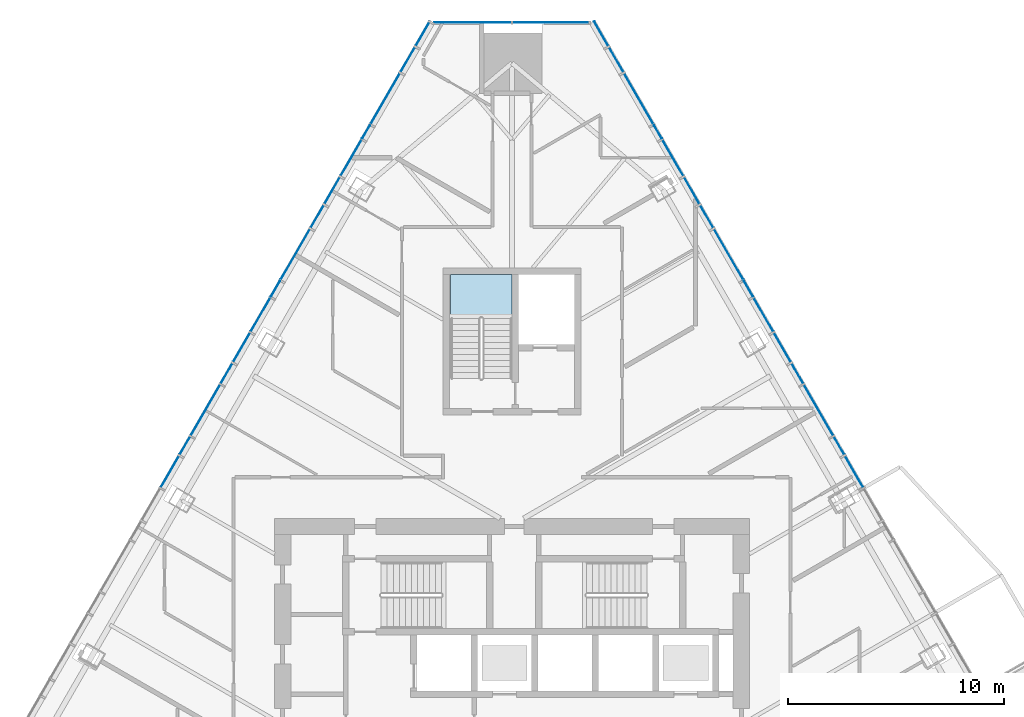
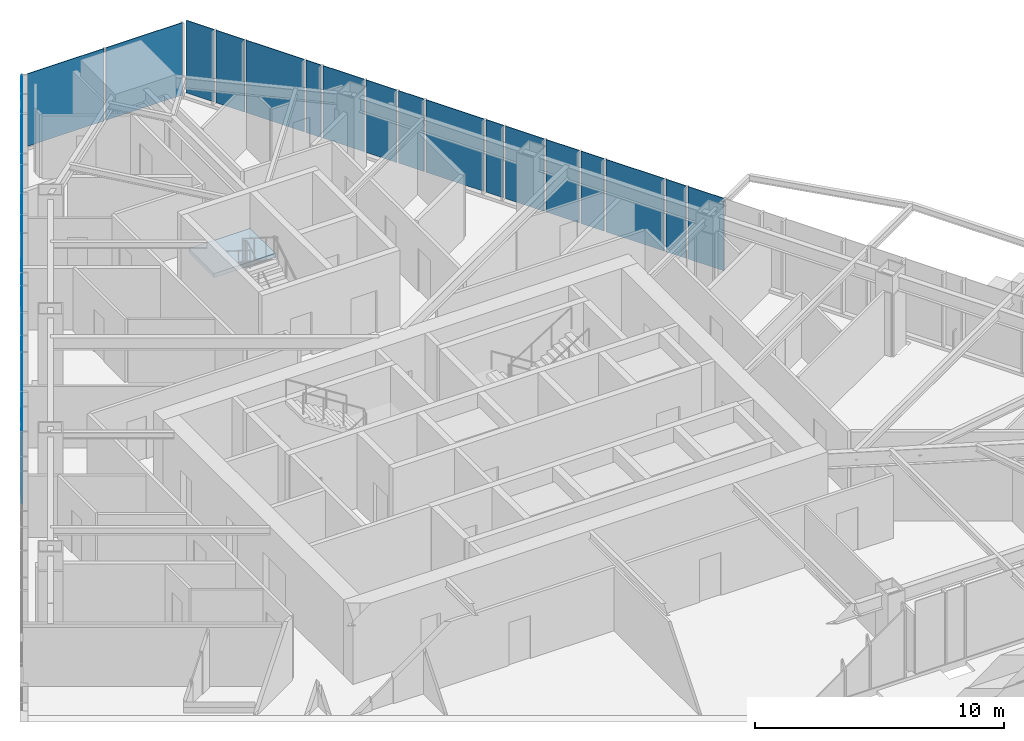
# One storey, part 13 of 21: 32 plates, 1 slab, 4 elements without a shape of their own.
"""IFC4 building model written with IfcOpenShell, lengths in metres."""

from ifc_helpers import new_model, si_unit, direction, frame, origin, place, context, subcontext, project, spatial, polyline, outline, extrude, material, layer, layer_set, type_object, element, aggregate, save


model = new_model("IFC4")

# Units and contexts
model_context = context("Model", 3, precision=1e-05, world=origin(), true_north=direction((0.0, 1.0)))
body_context = subcontext(model_context, "Body", "Model", "MODEL_VIEW")
ifc_project = project(units=[si_unit("LENGTHUNIT", "METRE"), si_unit("AREAUNIT", "SQUARE_METRE"), si_unit("VOLUMEUNIT", "CUBIC_METRE"), si_unit("PLANEANGLEUNIT", "RADIAN"), si_unit("MASSUNIT", "GRAM", prefix="KILO")], contexts=[model_context])

# Site, building, storey
site_placement = place(None, origin())
site = spatial("IfcSite", under=ifc_project, at=site_placement, CompositionType="ELEMENT")
building_placement = place(site_placement, origin())
building = spatial("IfcBuilding", under=site, at=building_placement, Name="Firuza Gate Tower and Library", CompositionType="ELEMENT")
storey_placement = place(building_placement, frame((0.0, 0.0, 222.10009765625)))
storey = spatial("IfcBuildingStorey", under=building, at=storey_placement, Name="L52", CompositionType="ELEMENT", Elevation=222.10009765625)

# Curtain wall, plates
ifc_material_1 = material(Name="Aluminium 6063-T6", Category="aluminium")
ifc_layer_1 = layer(ifc_material_1, 0.14990234375)
ifc_layer_set_1 = layer_set([ifc_layer_1], Name="Corner curtain wall, chamfers")
curtain_wall_type_1 = type_object("IfcCurtainWallType", Name="Corner curtain wall, chamfers", PredefinedType="NOTDEFINED", material=ifc_layer_set_1)
placement = place(storey_placement, origin())
curtain_wall_1 = element("IfcCurtainWall", 1, at=placement, inside=storey, type_object=curtain_wall_type_1, Name="CW4 L52 N corner", PredefinedType="NOTDEFINED")
ifc_material_2 = material(Name="Fritted glass", Category="glass")
ifc_layer_2 = layer(ifc_material_2, 0.030029296875)
ifc_layer_set_2 = layer_set([ifc_layer_2], Name="Fritted glass unit, corners")
plate_type_1 = type_object("IfcPlateType", Name="Fritted glass unit, corners", PredefinedType="CURTAIN_PANEL", material=ifc_layer_set_2)
plate_1_placement = place(storey_placement, frame((78.603271484375, 105.9814453125, 0.14990234375), z_axis=(0.0, 1.0, 0.0), x_axis=(-1.0, 0.0, 0.0)))
plate_1 = element("IfcPlate", 2, at=plate_1_placement, type_object=plate_type_1, Name="Glass unit", PredefinedType="CURTAIN_PANEL", context=body_context, shape_type="SweptSolid", body=[
    extrude(outline(polyline([(0.0, 0.0), (3.563232421875, 0.0), (3.563232421875, 3.550048828125), (0.0, 3.550048828125), (0.0, 0.0)])), origin(), (0.0, 0.0, -1.0), 0.030029296875),
])
plate_2_placement = place(storey_placement, frame((74.9599609375, 105.9814453125, 0.14990234375), z_axis=(0.0, 1.0, 0.0), x_axis=(-1.0, 0.0, 0.0)))
plate_2 = element("IfcPlate", 3, at=plate_2_placement, type_object=plate_type_1, Name="Glass unit", PredefinedType="CURTAIN_PANEL", context=body_context, shape_type="SweptSolid", body=[
    extrude(outline(polyline([(0.0, 0.0), (3.563232421875, 0.0), (3.563232421875, 3.550048828125), (0.0, 3.550048828125), (0.0, 0.0)])), origin(), (0.0, 0.0, -1.0), 0.030029296875),
])
aggregate(curtain_wall_1, [plate_1, plate_2])

ifc_material_3 = material(Name="Aluminium 6063-T6", Category="aluminium")
ifc_layer_3 = layer(ifc_material_3, 0.14990234375)
ifc_layer_set_3 = layer_set([ifc_layer_3], Name="Unitised curtain wall, hotel")
curtain_wall_type_2 = type_object("IfcCurtainWallType", Name="Unitised curtain wall, hotel", PredefinedType="NOTDEFINED", material=ifc_layer_set_3)
curtain_wall_2 = element("IfcCurtainWall", 4, at=placement, inside=storey, type_object=curtain_wall_type_2, Name="CW2 L52 E face", PredefinedType="NOTDEFINED")
ifc_material_4 = material(Name="Fritted glass", Category="glass")
ifc_layer_4 = layer(ifc_material_4, 0.030029296875)
ifc_layer_set_4 = layer_set([ifc_layer_4], Name="Fritted glass unit, hotel")
plate_type_2 = type_object("IfcPlateType", Name="Fritted glass unit, hotel", PredefinedType="CURTAIN_PANEL", material=ifc_layer_set_4)
plate_3_placement = place(storey_placement, frame((91.281494140625, 84.4462890625, 0.14990234375), z_axis=(0.866078617559, 0.49990781971, 0.0), x_axis=(-0.49990781971, 0.866078617559, 0.0)))
plate_3 = element("IfcPlate", 5, at=plate_3_placement, type_object=plate_type_2, Name="Glass unit", PredefinedType="CURTAIN_PANEL", context=body_context, shape_type="SweptSolid", body=[
    extrude(outline(polyline([(0.0, 0.0), (1.6721832846793547, 0.0), (1.6721832846793547, 3.550048828125), (0.0, 3.550048828125), (0.0, 0.0)])), origin(), (0.0, 0.0, -1.0), 0.030029296875),
])
plate_4_placement = place(storey_placement, frame((87.9296875, 90.251708984375, 0.14990234375), z_axis=(0.866051688794, 0.499954470265, 0.0), x_axis=(-0.499954470265, 0.866051688794, 0.0)))
plate_4 = element("IfcPlate", 6, at=plate_4_placement, type_object=plate_type_2, Name="Glass unit", PredefinedType="CURTAIN_PANEL", context=body_context, shape_type="SweptSolid", body=[
    extrude(outline(polyline([(0.0, 0.0), (1.5484808475959266, 0.0), (1.5484808475959266, 3.550048828125), (0.0, 3.550048828125), (0.0, 0.0)])), origin(), (0.0, 0.0, -1.0), 0.030029296875),
])
plate_5_placement = place(storey_placement, frame((87.115478515625, 91.662109375, 0.14990234375), z_axis=(0.86606786044, 0.499926455704, 0.0), x_axis=(-0.499926455704, 0.86606786044, 0.0)))
plate_5 = element("IfcPlate", 7, at=plate_5_placement, type_object=plate_type_2, Name="Glass unit", PredefinedType="CURTAIN_PANEL", context=body_context, shape_type="SweptSolid", body=[
    extrude(outline(polyline([(0.0, 0.0), (1.7956742794499119, 0.0), (1.7956742794499119, 3.550048828125), (0.0, 3.550048828125), (0.0, 0.0)])), origin(), (0.0, 0.0, -1.0), 0.030029296875),
])
plate_6_placement = place(storey_placement, frame((83.701904296875, 97.57470703125, 0.14990234375), z_axis=(0.866020080793, 0.500009219579, 0.0), x_axis=(-0.500009219579, 0.866020080793, 0.0)))
plate_6 = element("IfcPlate", 8, at=plate_6_placement, type_object=plate_type_2, Name="Glass unit", PredefinedType="CURTAIN_PANEL", context=body_context, shape_type="SweptSolid", body=[
    extrude(outline(polyline([(0.0, 0.0), (1.4247784157854635, 0.0), (1.4247784157854635, 3.550048828125), (0.0, 3.550048828125), (0.0, 0.0)])), origin(), (0.0, 0.0, -1.0), 0.030029296875),
])
plate_7_placement = place(storey_placement, frame((82.949462890625, 98.8779296875, 0.14990234375), z_axis=(0.86600340545, 0.500038100297, 0.0), x_axis=(-0.500038100297, 0.86600340545, 0.0)))
plate_7 = element("IfcPlate", 9, at=plate_7_placement, type_object=plate_type_2, Name="Glass unit", PredefinedType="CURTAIN_PANEL", context=body_context, shape_type="SweptSolid", body=[
    extrude(outline(polyline([(0.0, 0.0), (1.9192873429132231, 0.0), (1.9192873429132231, 3.550048828125), (0.0, 3.550048828125), (0.0, 0.0)])), origin(), (0.0, 0.0, -1.0), 0.030029296875),
])
plate_8_placement = place(storey_placement, frame((79.47412109375, 104.8974609375, 0.14990234375), z_axis=(0.866029371706, 0.499993127296, 0.0), x_axis=(-0.499993127296, 0.866029371706, 0.0)))
plate_8 = element("IfcPlate", 10, at=plate_8_placement, type_object=plate_type_2, Name="Glass unit", PredefinedType="CURTAIN_PANEL", context=body_context, shape_type="SweptSolid", body=[
    extrude(outline(polyline([(0.0, 0.0), (1.3012874179777365, 0.0), (1.3012874179777365, 3.550048828125), (0.0, 3.550048828125), (0.0, 0.0)])), origin(), (0.0, 0.0, -1.0), 0.030029296875),
])

curtain_wall_3 = element("IfcCurtainWall", 11, at=placement, inside=storey, type_object=curtain_wall_type_2, Name="CW2 L52 W face", PredefinedType="NOTDEFINED")
plate_9_placement = place(storey_placement, frame((71.176513671875, 106.0244140625, 0.14990234375), z_axis=(-0.866029371706, 0.499993127296, 0.0), x_axis=(-0.499993127296, -0.866029371706, 0.0)))
plate_9 = element("IfcPlate", 12, at=plate_9_placement, type_object=plate_type_2, Name="Glass unit", PredefinedType="CURTAIN_PANEL", context=body_context, shape_type="SweptSolid", body=[
    extrude(outline(polyline([(0.0, 0.0), (1.3012874179777365, 0.0), (1.3012874179777365, 3.550048828125), (0.0, 3.550048828125), (0.0, 0.0)])), origin(), (0.0, 0.0, -1.0), 0.030029296875),
])
plate_10_placement = place(storey_placement, frame((68.01025390625, 100.5400390625, 0.14990234375), z_axis=(-0.86600340545, 0.500038100297, 0.0), x_axis=(-0.500038100297, -0.86600340545, 0.0)))
plate_10 = element("IfcPlate", 13, at=plate_10_placement, type_object=plate_type_2, Name="Glass unit", PredefinedType="CURTAIN_PANEL", context=body_context, shape_type="SweptSolid", body=[
    extrude(outline(polyline([(0.0, 0.0), (1.9192873429132231, 0.0), (1.9192873429132231, 3.550048828125), (0.0, 3.550048828125), (0.0, 0.0)])), origin(), (0.0, 0.0, -1.0), 0.030029296875),
])
plate_11_placement = place(storey_placement, frame((67.010498046875, 98.80859375, 0.14990234375), z_axis=(-0.866020080793, 0.500009219579, 0.0), x_axis=(-0.500009219579, -0.866020080793, 0.0)))
plate_11 = element("IfcPlate", 14, at=plate_11_placement, type_object=plate_type_2, Name="Glass unit", PredefinedType="CURTAIN_PANEL", context=body_context, shape_type="SweptSolid", body=[
    extrude(outline(polyline([(0.0, 0.0), (1.4247784157854635, 0.0), (1.4247784157854635, 3.550048828125), (0.0, 3.550048828125), (0.0, 0.0)])), origin(), (0.0, 0.0, -1.0), 0.030029296875),
])
plate_12_placement = place(storey_placement, frame((63.7822265625, 93.21728515625, 0.14990234375), z_axis=(-0.86606786044, 0.499926455704, 0.0), x_axis=(-0.499926455704, -0.86606786044, 0.0)))
plate_12 = element("IfcPlate", 15, at=plate_12_placement, type_object=plate_type_2, Name="Glass unit", PredefinedType="CURTAIN_PANEL", context=body_context, shape_type="SweptSolid", body=[
    extrude(outline(polyline([(0.0, 0.0), (1.7956742794499119, 0.0), (1.7956742794499119, 3.550048828125), (0.0, 3.550048828125), (0.0, 0.0)])), origin(), (0.0, 0.0, -1.0), 0.030029296875),
])
plate_13_placement = place(storey_placement, frame((62.844482421875, 91.5927734375, 0.14990234375), z_axis=(-0.866051688794, 0.499954470265, 0.0), x_axis=(-0.499954470265, -0.866051688794, 0.0)))
plate_13 = element("IfcPlate", 16, at=plate_13_placement, type_object=plate_type_2, Name="Glass unit", PredefinedType="CURTAIN_PANEL", context=body_context, shape_type="SweptSolid", body=[
    extrude(outline(polyline([(0.0, 0.0), (1.5484808475959266, 0.0), (1.5484808475959266, 3.550048828125), (0.0, 3.550048828125), (0.0, 0.0)])), origin(), (0.0, 0.0, -1.0), 0.030029296875),
])
plate_14_placement = place(storey_placement, frame((59.554443359375, 85.89453125, 0.14990234375), z_axis=(-0.866078617559, 0.49990781971, 0.0), x_axis=(-0.49990781971, -0.866078617559, 0.0)))
plate_14 = element("IfcPlate", 17, at=plate_14_placement, type_object=plate_type_2, Name="Glass unit", PredefinedType="CURTAIN_PANEL", context=body_context, shape_type="SweptSolid", body=[
    extrude(outline(polyline([(0.0, 0.0), (1.6721832846793547, 0.0), (1.6721832846793547, 3.550048828125), (0.0, 3.550048828125), (0.0, 0.0)])), origin(), (0.0, 0.0, -1.0), 0.030029296875),
])

# Plate
ifc_material_5 = material(Name="Glazed ceramic tile")
ifc_layer_5 = layer(ifc_material_5, 0.030029296875)
ifc_layer_set_5 = layer_set([ifc_layer_5], Name="Opaque ceramic panel, hotel")
plate_type_3 = type_object("IfcPlateType", Name="Opaque ceramic panel, hotel", PredefinedType="CURTAIN_PANEL", material=ifc_layer_set_5)
plate_15_placement = place(storey_placement, frame((90.405517578125, 85.963623046875, 0.14990234375), z_axis=(0.866009237431, 0.5000279999, 0.0), x_axis=(-0.5000279999, 0.866009237431, 0.0)))
plate_15 = element("IfcPlate", 18, at=plate_15_placement, type_object=plate_type_3, Name="Opaque ceramic panel", PredefinedType="CURTAIN_PANEL", context=body_context, shape_type="SweptSolid", body=[
    extrude(outline(polyline([(0.0, 0.0), (0.9452595656525632, 0.0), (0.9452595656525632, 3.550048828125), (0.0, 3.550048828125), (0.0, 0.0)])), origin(), (0.0, 0.0, -1.0), 0.030029296875),
])

plate_16_placement = place(storey_placement, frame((89.892822265625, 86.8515625, 0.14990234375), z_axis=(0.866028828302, 0.499994068514, 0.0), x_axis=(-0.499994068514, 0.866028828302, 0.0)))
plate_16 = element("IfcPlate", 19, at=plate_16_placement, type_object=plate_type_3, Name="Opaque ceramic panel", PredefinedType="CURTAIN_PANEL", context=body_context, shape_type="SweptSolid", body=[
    extrude(outline(polyline([(0.0, 0.0), (2.6972976229659773, 0.0), (2.6972976229659773, 3.550048828125001), (0.0, 3.550048828125001), (0.0, 0.0)])), origin(), (0.0, 0.0, -1.0), 0.030029296875),
])

plate_17_placement = place(storey_placement, frame((88.504150390625, 89.2568359375, 0.14990234375), z_axis=(0.866056279496, 0.499946517884, 0.0), x_axis=(-0.499946517884, 0.866056279496, 0.0)))
plate_17 = element("IfcPlate", 20, at=plate_17_placement, type_object=plate_type_3, Name="Opaque ceramic panel", PredefinedType="CURTAIN_PANEL", context=body_context, shape_type="SweptSolid", body=[
    extrude(outline(polyline([(0.0, 0.0), (1.0689619969481339, 0.0), (1.0689619969481339, 3.550048828125), (0.0, 3.550048828125), (0.0, 0.0)])), origin(), (0.0, 0.0, -1.0), 0.030029296875),
])

plate_18_placement = place(storey_placement, frame((86.177734375, 93.28662109375, 0.14990234375), z_axis=(0.865948017576, 0.500134012897, 0.0), x_axis=(-0.500134012897, 0.865948017576, 0.0)))
plate_18 = element("IfcPlate", 21, at=plate_18_placement, type_object=plate_type_3, Name="Opaque ceramic panel", PredefinedType="CURTAIN_PANEL", context=body_context, shape_type="SweptSolid", body=[
    extrude(outline(polyline([(0.0, 0.0), (0.8215571452445497, 0.0), (0.8215571452445497, 3.550048828125), (0.0, 3.550048828125), (0.0, 0.0)])), origin(), (0.0, 0.0, -1.0), 0.030029296875),
])

plate_19_placement = place(storey_placement, frame((85.726806640625, 94.0673828125, 0.14990234375), z_axis=(0.866028828302, 0.499994068514, 0.0), x_axis=(-0.499994068514, 0.866028828302, 0.0)))
plate_19 = element("IfcPlate", 22, at=plate_19_placement, type_object=plate_type_3, Name="Opaque ceramic panel", PredefinedType="CURTAIN_PANEL", context=body_context, shape_type="SweptSolid", body=[
    extrude(outline(polyline([(0.0, 0.0), (2.6972976229659773, 0.0), (2.6972976229659773, 3.550048828125001), (0.0, 3.550048828125001), (0.0, 0.0)])), origin(), (0.0, 0.0, -1.0), 0.030029296875),
])

plate_20_placement = place(storey_placement, frame((84.338134765625, 96.47265625, 0.14990234375), z_axis=(0.866042392862, 0.4999705729, 0.0), x_axis=(-0.4999705729, 0.866042392862, 0.0)))
plate_20 = element("IfcPlate", 23, at=plate_20_placement, type_object=plate_type_3, Name="Opaque ceramic panel", PredefinedType="CURTAIN_PANEL", context=body_context, shape_type="SweptSolid", body=[
    extrude(outline(polyline([(0.0, 0.0), (1.1924529933661703, 0.0), (1.1924529933661703, 3.550048828125001), (0.0, 3.550048828125001), (0.0, 0.0)])), origin(), (0.0, 0.0, -1.0), 0.030029296875),
])

plate_21_placement = place(storey_placement, frame((81.949951171875, 100.609375, 0.14990234375), z_axis=(0.865952591736, 0.500126092966, 0.0), x_axis=(-0.500126092966, 0.865952591736, 0.0)))
plate_21 = element("IfcPlate", 24, at=plate_21_placement, type_object=plate_type_3, Name="Opaque ceramic panel", PredefinedType="CURTAIN_PANEL", context=body_context, shape_type="SweptSolid", body=[
    extrude(outline(polyline([(0.0, 0.0), (0.6980661450390868, 0.0), (0.6980661450390868, 3.550048828125001), (0.0, 3.550048828125001), (0.0, 0.0)])), origin(), (0.0, 0.0, -1.0), 0.030029296875),
])

plate_22_placement = place(storey_placement, frame((81.560791015625, 101.283203125, 0.14990234375), z_axis=(0.866028828302, 0.499994068514, 0.0), x_axis=(-0.499994068514, 0.866028828302, 0.0)))
plate_22 = element("IfcPlate", 25, at=plate_22_placement, type_object=plate_type_3, Name="Opaque ceramic panel", PredefinedType="CURTAIN_PANEL", context=body_context, shape_type="SweptSolid", body=[
    extrude(outline(polyline([(0.0, 0.0), (2.6972976229659773, 0.0), (2.6972976229659773, 3.550048828125001), (0.0, 3.550048828125001), (0.0, 0.0)])), origin(), (0.0, 0.0, -1.0), 0.030029296875),
])

plate_23_placement = place(storey_placement, frame((80.172119140625, 103.688232421875, 0.14990234375), z_axis=(0.8660774803, 0.499909789979, 0.0), x_axis=(-0.499909789979, 0.8660774803, 0.0)))
plate_23 = element("IfcPlate", 26, at=plate_23_placement, type_object=plate_type_3, Name="Opaque ceramic panel", PredefinedType="CURTAIN_PANEL", context=body_context, shape_type="SweptSolid", body=[
    extrude(outline(polyline([(0.0, 0.0), (1.3161554295691071, 0.0), (1.3161554295691071, 3.550048828125), (0.0, 3.550048828125), (0.0, 0.0)])), origin(), (0.0, 0.0, -1.0), 0.030029296875),
])

aggregate(curtain_wall_2, [plate_3, plate_15, plate_16, plate_17, plate_4, plate_5, plate_18, plate_19, plate_20, plate_6, plate_7, plate_21, plate_22, plate_23, plate_8])

plate_24_placement = place(storey_placement, frame((70.48583984375, 104.828125, 0.14990234375), z_axis=(-0.8660774803, 0.499909789979, 0.0), x_axis=(-0.499909789979, -0.8660774803, 0.0)))
plate_24 = element("IfcPlate", 27, at=plate_24_placement, type_object=plate_type_3, Name="Opaque ceramic panel", PredefinedType="CURTAIN_PANEL", context=body_context, shape_type="SweptSolid", body=[
    extrude(outline(polyline([(0.0, 0.0), (1.3161554295691071, 0.0), (1.3161554295691071, 3.550048828125), (0.0, 3.550048828125), (0.0, 0.0)])), origin(), (0.0, 0.0, -1.0), 0.030029296875),
])

plate_25_placement = place(storey_placement, frame((69.787841796875, 103.619140625, 0.14990234375), z_axis=(-0.866028828302, 0.499994068514, 0.0), x_axis=(-0.499994068514, -0.866028828302, 0.0)))
plate_25 = element("IfcPlate", 28, at=plate_25_placement, type_object=plate_type_3, Name="Opaque ceramic panel", PredefinedType="CURTAIN_PANEL", context=body_context, shape_type="SweptSolid", body=[
    extrude(outline(polyline([(0.0, 0.0), (2.6972976229659773, 0.0), (2.6972976229659773, 3.550048828125001), (0.0, 3.550048828125001), (0.0, 0.0)])), origin(), (0.0, 0.0, -1.0), 0.030029296875),
])

plate_26_placement = place(storey_placement, frame((68.399169921875, 101.2138671875, 0.14990234375), z_axis=(-0.865952591736, 0.500126092966, 0.0), x_axis=(-0.500126092966, -0.865952591736, 0.0)))
plate_26 = element("IfcPlate", 29, at=plate_26_placement, type_object=plate_type_3, Name="Opaque ceramic panel", PredefinedType="CURTAIN_PANEL", context=body_context, shape_type="SweptSolid", body=[
    extrude(outline(polyline([(0.0, 0.0), (0.6980661450390868, 0.0), (0.6980661450390868, 3.550048828125001), (0.0, 3.550048828125001), (0.0, 0.0)])), origin(), (0.0, 0.0, -1.0), 0.030029296875),
])

plate_27_placement = place(storey_placement, frame((66.258056640625, 97.50537109375, 0.14990234375), z_axis=(-0.866042392862, 0.4999705729, 0.0), x_axis=(-0.4999705729, -0.866042392862, 0.0)))
plate_27 = element("IfcPlate", 30, at=plate_27_placement, type_object=plate_type_3, Name="Opaque ceramic panel", PredefinedType="CURTAIN_PANEL", context=body_context, shape_type="SweptSolid", body=[
    extrude(outline(polyline([(0.0, 0.0), (1.1924529933661703, 0.0), (1.1924529933661703, 3.550048828125001), (0.0, 3.550048828125001), (0.0, 0.0)])), origin(), (0.0, 0.0, -1.0), 0.030029296875),
])

plate_28_placement = place(storey_placement, frame((65.621826171875, 96.4033203125, 0.14990234375), z_axis=(-0.866028828302, 0.499994068514, 0.0), x_axis=(-0.499994068514, -0.866028828302, 0.0)))
plate_28 = element("IfcPlate", 31, at=plate_28_placement, type_object=plate_type_3, Name="Opaque ceramic panel", PredefinedType="CURTAIN_PANEL", context=body_context, shape_type="SweptSolid", body=[
    extrude(outline(polyline([(0.0, 0.0), (2.6972976229659773, 0.0), (2.6972976229659773, 3.550048828125001), (0.0, 3.550048828125001), (0.0, 0.0)])), origin(), (0.0, 0.0, -1.0), 0.030029296875),
])

plate_29_placement = place(storey_placement, frame((64.233154296875, 93.998046875, 0.14990234375), z_axis=(-0.865948017576, 0.500134012897, 0.0), x_axis=(-0.500134012897, -0.865948017576, 0.0)))
plate_29 = element("IfcPlate", 32, at=plate_29_placement, type_object=plate_type_3, Name="Opaque ceramic panel", PredefinedType="CURTAIN_PANEL", context=body_context, shape_type="SweptSolid", body=[
    extrude(outline(polyline([(0.0, 0.0), (0.8215571452445497, 0.0), (0.8215571452445497, 3.550048828125), (0.0, 3.550048828125), (0.0, 0.0)])), origin(), (0.0, 0.0, -1.0), 0.030029296875),
])

plate_30_placement = place(storey_placement, frame((62.0302734375, 90.1826171875, 0.14990234375), z_axis=(-0.866056279496, 0.499946517884, 0.0), x_axis=(-0.499946517884, -0.866056279496, 0.0)))
plate_30 = element("IfcPlate", 33, at=plate_30_placement, type_object=plate_type_3, Name="Opaque ceramic panel", PredefinedType="CURTAIN_PANEL", context=body_context, shape_type="SweptSolid", body=[
    extrude(outline(polyline([(0.0, 0.0), (1.0689619969481339, 0.0), (1.0689619969481339, 3.550048828125), (0.0, 3.550048828125), (0.0, 0.0)])), origin(), (0.0, 0.0, -1.0), 0.030029296875),
])

plate_31_placement = place(storey_placement, frame((61.455810546875, 89.1875, 0.14990234375), z_axis=(-0.866028828302, 0.499994068514, 0.0), x_axis=(-0.499994068514, -0.866028828302, 0.0)))
plate_31 = element("IfcPlate", 34, at=plate_31_placement, type_object=plate_type_3, Name="Opaque ceramic panel", PredefinedType="CURTAIN_PANEL", context=body_context, shape_type="SweptSolid", body=[
    extrude(outline(polyline([(0.0, 0.0), (2.6972976229659773, 0.0), (2.6972976229659773, 3.550048828125001), (0.0, 3.550048828125001), (0.0, 0.0)])), origin(), (0.0, 0.0, -1.0), 0.030029296875),
])

plate_32_placement = place(storey_placement, frame((60.067138671875, 86.7822265625, 0.14990234375), z_axis=(-0.866009237431, 0.5000279999, 0.0), x_axis=(-0.5000279999, -0.866009237431, 0.0)))
plate_32 = element("IfcPlate", 35, at=plate_32_placement, type_object=plate_type_3, Name="Opaque ceramic panel", PredefinedType="CURTAIN_PANEL", context=body_context, shape_type="SweptSolid", body=[
    extrude(outline(polyline([(0.0, 0.0), (0.9452595656525632, 0.0), (0.9452595656525632, 3.550048828125), (0.0, 3.550048828125), (0.0, 0.0)])), origin(), (0.0, 0.0, -1.0), 0.030029296875),
])

aggregate(curtain_wall_3, [plate_9, plate_24, plate_25, plate_26, plate_10, plate_11, plate_27, plate_28, plate_29, plate_12, plate_13, plate_30, plate_31, plate_32, plate_14])

# Stair, slab
ifc_material_6 = material(Name="Concrete C35/45", Category="concrete")
stair_type = type_object("IfcStairType", Name="Exit stair ST16", PredefinedType="HALF_TURN_STAIR", material=ifc_material_6)
stair = element("IfcStair", 36, at=placement, inside=storey, type_object=stair_type, Name="L52 Stair ST3", PredefinedType="HALF_TURN_STAIR")
ifc_material_7 = material(Name="Concrete C35/45", Category="concrete")
ifc_layer_6 = layer(ifc_material_7, 0.199951171875)
ifc_layer_set_6 = layer_set([ifc_layer_6], Name="Stair landing 200")
slab_type = type_object("IfcSlabType", Name="Stair landing 200", PredefinedType="LANDING", material=ifc_layer_set_6)
slab_placement = place(storey_placement, frame((0.0, 0.0, 1.75)))
slab = element("IfcSlab", 37, at=slab_placement, type_object=slab_type, Name="ST3 landing 1", PredefinedType="LANDING", context=body_context, shape_type="SweptSolid", body=[
    extrude(outline(polyline([(75.0, 92.27001953125), (75.0, 94.300048828125), (72.159912109375, 94.300048828125), (72.159912109375, 92.27001953125), (75.0, 92.27001953125)])), origin(), (0.0, 0.0, 1.0), 0.199951171875),
])
aggregate(stair, [slab])

save(model, "model.ifc")
